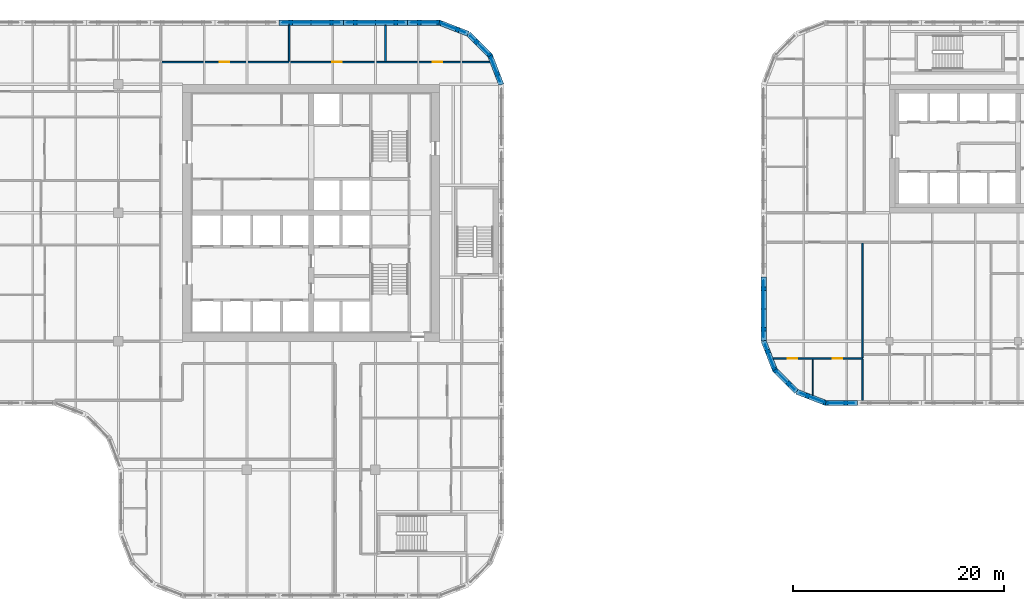
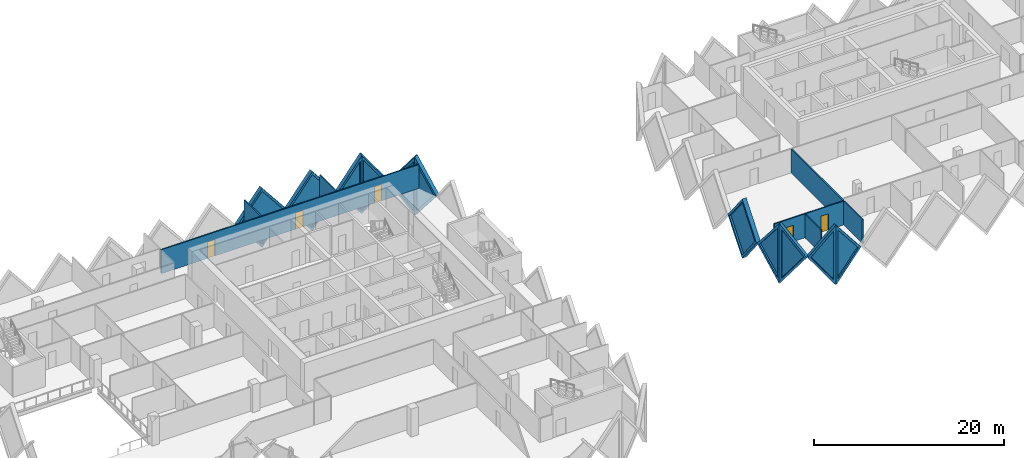
# One storey, part 11 of 19: 18 walls, 11 plates, 5 doors, 16 openings.
"""IFC4 building model written with IfcOpenShell, lengths in metres."""

import ifcopenshell
import ifcopenshell.guid

model = None  # the IFC model being written
_history = None  # IfcOwnerHistory: only IFC2X3 demands one
_inside = {}  # id of a spatial element -> (the spatial element, [elements in it])
_under = {}  # id of a project, library or spatial element -> (it, [spatial elements below it])
_declared = {}  # id of a project -> (the project, [libraries it declares])
_typed = {}  # id of a type object -> (the type object, [elements of that type])
_made_of = {}  # id of a material, layer set ... -> (it, [elements and type objects made of it])


def new_model(schema):
    """Start an empty IFC model of exactly this schema.

    Asked for "IFC4X3", IfcOpenShell would pick the latest addendum, in which some entities
    have other attributes; the version numbers below select the first issue.
    IFC2X3 requires an IfcOwnerHistory on every rooted entity: one is made here for all.
    """
    global model, _history
    if schema == "IFC4X3":
        model = ifcopenshell.file(schema_version=(4, 3, 0, 0))
    else:
        model = ifcopenshell.file(schema=schema)
    _inside.clear()
    _under.clear()
    _declared.clear()
    _typed.clear()
    _made_of.clear()
    _history = None
    if model.schema == "IFC2X3":
        org = make("IfcOrganization", Name="unknown")
        user = make(
            "IfcPersonAndOrganization",
            ThePerson=make("IfcPerson", FamilyName="unknown"),
            TheOrganization=org,
        )
        app = make(
            "IfcApplication",
            ApplicationDeveloper=org,
            Version="unknown",
            ApplicationFullName="unknown",
            ApplicationIdentifier="unknown",
        )
        _history = make(
            "IfcOwnerHistory",
            OwningUser=user,
            OwningApplication=app,
            ChangeAction="ADDED",
            CreationDate=0,
        )
    return model


def make(cls, **values):
    """One entity of the class cls with the attributes given. An attribute that is None is left unset."""
    return model.create_entity(
        cls, **{name: value for name, value in values.items() if value is not None}
    )


def rooted(cls, **values):
    """An entity with a GlobalId (a new one), such as an element, a storey or a relation."""
    return make(cls, GlobalId=ifcopenshell.guid.new(), OwnerHistory=_history, **values)


def si_unit(unit_type, name, prefix=None):
    """IfcSIUnit, for example si_unit("LENGTHUNIT", "METRE", prefix="MILLI")."""
    return make("IfcSIUnit", UnitType=unit_type, Prefix=prefix, Name=name)


def assignment(units):
    """IfcUnitAssignment: the units of a project."""
    return None if units is None else make("IfcUnitAssignment", Units=units)


def point(xyz):
    """IfcCartesianPoint."""
    return None if xyz is None else make("IfcCartesianPoint", Coordinates=xyz)


def direction(xyz):
    """IfcDirection."""
    return None if xyz is None else make("IfcDirection", DirectionRatios=xyz)


def frame(location, z_axis=None, x_axis=None):
    """IfcAxis2Placement3D, a coordinate frame: its origin and axes. An axis left out is left unset."""
    return make(
        "IfcAxis2Placement3D",
        Location=point(location),
        Axis=direction(z_axis),
        RefDirection=direction(x_axis),
    )


def frame_2d(location, x_axis=None):
    """IfcAxis2Placement2D, a coordinate frame in the plane: its origin and x axis."""
    return make(
        "IfcAxis2Placement2D", Location=point(location), RefDirection=direction(x_axis)
    )


def origin():
    """The frame at (0, 0, 0) with its axes left unset."""
    return frame((0.0, 0.0, 0.0))


def place(relative_to, where):
    """IfcLocalPlacement: puts the frame where relative to a parent placement (None: the world)."""
    return make(
        "IfcLocalPlacement", PlacementRelTo=relative_to, RelativePlacement=where
    )


def context(
    kind, dimensions, precision=None, world=None, true_north=None, identifier=None
):
    """IfcGeometricRepresentationContext, for example the 3D "Model" context."""
    return make(
        "IfcGeometricRepresentationContext",
        ContextIdentifier=identifier,
        ContextType=kind,
        CoordinateSpaceDimension=dimensions,
        Precision=precision,
        WorldCoordinateSystem=world,
        TrueNorth=true_north,
    )


def subcontext(parent, identifier, kind, view, scale=None):
    """IfcGeometricRepresentationSubContext, for example "Body" below "Model"."""
    return make(
        "IfcGeometricRepresentationSubContext",
        ContextIdentifier=identifier,
        ContextType=kind,
        ParentContext=parent,
        TargetScale=scale,
        TargetView=view,
    )


def project(units=None, contexts=None):
    """IfcProject with its units and contexts."""
    return rooted(
        "IfcProject",
        Name="project",
        RepresentationContexts=contexts,
        UnitsInContext=assignment(units),
    )


def spatial(cls, under=None, at=None, **own):
    """A site, building, storey or space (cls), placed at a placement, below another one or the project."""
    s = rooted(cls, ObjectPlacement=at, **own)
    if under is not None:
        _under.setdefault(under.id(), (under, []))[1].append(s)
    return s


def polyline(points):
    """IfcPolyline through the points."""
    return make("IfcPolyline", Points=[point(p) for p in points])


def profile(cls, at=None, kind="AREA", **sizes):
    """A parametric profile (cls). Its sizes go by their IFC names, for example OverallWidth=200.0."""
    return make(cls, ProfileType=kind, Position=at, **sizes)


def rectangle(**sizes):
    """IfcRectangleProfileDef."""
    return profile("IfcRectangleProfileDef", **sizes)


def outline(outer, holes=None, kind="AREA"):
    """IfcArbitraryClosedProfileDef: a profile drawn as a closed curve; with holes, ...WithVoids."""
    if holes is None:
        return make("IfcArbitraryClosedProfileDef", ProfileType=kind, OuterCurve=outer)
    return make(
        "IfcArbitraryProfileDefWithVoids",
        ProfileType=kind,
        OuterCurve=outer,
        InnerCurves=holes,
    )


def extrude(swept, where, along, depth):
    """IfcExtrudedAreaSolid: the profile swept, set in the frame where, extruded along a direction by depth."""
    return make(
        "IfcExtrudedAreaSolid",
        SweptArea=swept,
        Position=where,
        ExtrudedDirection=direction(along),
        Depth=depth,
    )


def faces_of(points, faces, orient=None, outer=None):
    """IfcFace entities. A face is a list of loops; a loop is a list of indices into points, from 0.

    orient and outer hold one flag for each loop. By default every Orientation is true, the
    first loop of a face is its IfcFaceOuterBound and the others are IfcFaceBound.
    """
    made = []
    for i, loops in enumerate(faces):
        bounds = []
        for j, loop in enumerate(loops):
            is_outer = j == 0 if outer is None else outer[i][j]
            bounds.append(
                make(
                    "IfcFaceOuterBound" if is_outer else "IfcFaceBound",
                    Bound=make("IfcPolyLoop", Polygon=[points[k] for k in loop]),
                    Orientation=True if orient is None else orient[i][j],
                )
            )
        made.append(make("IfcFace", Bounds=bounds))
    return made


def faceted_brep(points, faces, orient=None, outer=None, voids=None):
    """IfcFacetedBrep: a solid bounded by flat faces; with voids (closed shells), ...WithVoids."""
    shared = [point(p) for p in points]
    hull = make("IfcClosedShell", CfsFaces=faces_of(shared, faces, orient, outer))
    if voids is None:
        return make("IfcFacetedBrep", Outer=hull)
    return make(
        "IfcFacetedBrepWithVoids",
        Outer=hull,
        Voids=[
            make(cls, CfsFaces=faces_of(shared, fs, o, b)) for cls, fs, o, b in voids
        ],
    )


def shape(context_of_items, identifier, shape_type, items):
    """IfcShapeRepresentation: the items that make up one representation, for example the "Body"."""
    return make(
        "IfcShapeRepresentation",
        ContextOfItems=context_of_items,
        RepresentationIdentifier=identifier,
        RepresentationType=shape_type,
        Items=items,
    )


def source(mapping_origin, context_of_items, identifier, shape_type, items):
    """IfcRepresentationMap: a shape defined once, which mapped items show again and again."""
    return make(
        "IfcRepresentationMap",
        MappingOrigin=mapping_origin,
        MappedRepresentation=shape(context_of_items, identifier, shape_type, items),
    )


def transform(
    local_origin,
    x_axis=None,
    y_axis=None,
    z_axis=None,
    scale=None,
    scale2=None,
    scale3=None,
    uniform=True,
):
    """IfcCartesianTransformationOperator3D, or its non-uniform kind. x_axis, y_axis, z_axis: its Axis1, 2, 3."""
    if uniform:
        return make(
            "IfcCartesianTransformationOperator3D",
            Axis1=direction(x_axis),
            Axis2=direction(y_axis),
            LocalOrigin=point(local_origin),
            Scale=scale,
            Axis3=direction(z_axis),
        )
    return make(
        "IfcCartesianTransformationOperator3DnonUniform",
        Axis1=direction(x_axis),
        Axis2=direction(y_axis),
        LocalOrigin=point(local_origin),
        Scale=scale,
        Axis3=direction(z_axis),
        Scale2=scale2,
        Scale3=scale3,
    )


def mapped(mapping_source, mapping_target):
    """IfcMappedItem: shows the shape of a source again, moved by a transform."""
    return make(
        "IfcMappedItem", MappingSource=mapping_source, MappingTarget=mapping_target
    )


def material(Name=None, Category=None):
    """IfcMaterial."""
    return make("IfcMaterial", Name=Name, Category=Category)


def layer(
    of_material, thickness, ventilated=None, Name=None, Category=None, Priority=None
):
    """IfcMaterialLayer: one layer of a wall or slab, of a material (None: an air gap)."""
    return make(
        "IfcMaterialLayer",
        Material=of_material,
        LayerThickness=thickness,
        IsVentilated=ventilated,
        Name=Name,
        Category=Category,
        Priority=Priority,
    )


def layer_set(layers, Name=None):
    """IfcMaterialLayerSet."""
    return make("IfcMaterialLayerSet", MaterialLayers=layers, LayerSetName=Name)


def made_of(thing, what):
    """Note that an element or type object is made of a material, layer set ...; save() writes the relation."""
    if what is not None:
        _made_of.setdefault(what.id(), (what, []))[1].append(thing)
    return thing


def type_object(cls, material=None, **own):
    """A type object (cls), such as IfcWallType, which elements share."""
    return made_of(rooted(cls, **own), material)


def element(
    cls,
    number,
    at=None,
    inside=None,
    cuts=None,
    type_object=None,
    material=None,
    context=None,
    identifier="Body",
    shape_type=None,
    held_by="IfcProductDefinitionShape",
    body=None,
    shapes=None,
    **own,
):
    """One element of the class cls, such as IfcWall. Its Tag is "e" and its number.

    at: its placement. inside: the storey or other place that contains it. cuts: it is an
    opening in that element (IfcRelVoidsElement). A single representation is given by context,
    identifier, shape_type and body (its items); several are given by shapes. held_by: the class
    of the entity that holds the representations. save() writes the other relations.
    """
    e = rooted(cls, Tag="e%d" % number, ObjectPlacement=at, **own)
    if body is not None:
        shapes = [shape(context, identifier, shape_type, body)]
    if shapes is not None:
        e.Representation = make(held_by, Representations=shapes)
    if inside is not None:
        _inside.setdefault(inside.id(), (inside, []))[1].append(e)
    if cuts is not None:
        rooted(
            "IfcRelVoidsElement", RelatingBuildingElement=cuts, RelatedOpeningElement=e
        )
    if type_object is not None:
        _typed.setdefault(type_object.id(), (type_object, []))[1].append(e)
    return made_of(e, material)


def fill(opening, filler):
    """IfcRelFillsElement: the door or window that sits in an opening."""
    return rooted(
        "IfcRelFillsElement",
        RelatingOpeningElement=opening,
        RelatedBuildingElement=filler,
    )


def aggregate(whole, parts):
    """IfcRelAggregates: a whole, such as a stair, and the parts it consists of."""
    return rooted("IfcRelAggregates", RelatingObject=whole, RelatedObjects=parts)


def save(model, path):
    """Write the relations noted so far, then the file.

    IfcRelAggregates (storeys below a building ...), IfcRelContainedInSpatialStructure (elements
    in a storey), IfcRelDefinesByType, IfcRelAssociatesMaterial and IfcRelDeclares: one each for
    every whole, place, type object, material and project.
    """
    for whole, parts in _under.values():
        aggregate(whole, parts)
    for where, things in _inside.values():
        rooted(
            "IfcRelContainedInSpatialStructure",
            RelatedElements=things,
            RelatingStructure=where,
        )
    for kind, things in _typed.values():
        rooted("IfcRelDefinesByType", RelatedObjects=things, RelatingType=kind)
    for what, things in _made_of.values():
        rooted("IfcRelAssociatesMaterial", RelatedObjects=things, RelatingMaterial=what)
    for by, libraries in _declared.values():
        rooted("IfcRelDeclares", RelatingContext=by, RelatedDefinitions=libraries)
    model.write(path)


model = new_model("IFC4")

# Units and contexts
model_context = context("Model", 3, precision=1e-05, world=origin(), true_north=direction((0.0, 1.0)))
body_context = subcontext(model_context, "Body", "Model", "MODEL_VIEW")
ifc_project = project(units=[si_unit("LENGTHUNIT", "METRE"), si_unit("AREAUNIT", "SQUARE_METRE"), si_unit("VOLUMEUNIT", "CUBIC_METRE"), si_unit("PLANEANGLEUNIT", "RADIAN"), si_unit("MASSUNIT", "GRAM", prefix="KILO")], contexts=[model_context])

# Site, building, storey
site_placement = place(None, origin())
site = spatial("IfcSite", under=ifc_project, at=site_placement, CompositionType="ELEMENT")
building_placement = place(site_placement, origin())
building = spatial("IfcBuilding", under=site, at=building_placement, Name="Tessera Gate Towers", CompositionType="ELEMENT")
storey_placement = place(building_placement, frame((0.0, 0.0, 76.199951171875)))
storey = spatial("IfcBuildingStorey", under=building, at=storey_placement, Name="L18", CompositionType="ELEMENT", Elevation=76.199951171875)

# Wall, openings, doors
ifc_material_1 = material(Name="Gypsum board on steel studs, mineral wool", Category="steel")
ifc_layer_1 = layer(ifc_material_1, 0.14990234375)
ifc_layer_set_1 = layer_set([ifc_layer_1], Name="CORRIDOR WALL 150")
wall_type_1 = type_object("IfcWallType", Name="CORRIDOR WALL 150", PredefinedType="PARTITIONING", material=ifc_layer_set_1)
wall_1_placement = place(storey_placement, frame((28.39990234375, 50.89990234375, 0.0), z_axis=(0.0, 0.0, 1.0), x_axis=(1.0, 0.0, 0.0)))
wall_1 = element("IfcWall", 1, at=wall_1_placement, inside=storey, type_object=wall_type_1, Name="T1-L18-PW-046", PredefinedType="PARTITIONING", context=body_context, shape_type="SweptSolid", body=[
    extrude(rectangle(XDim=31.254150390625, YDim=0.14990234375, at=frame_2d((15.626953125, 0.0))), origin(), (0.0, 0.0, 1.0), 3.067138671875),
])
shared_shape_1 = source(origin(), body_context, "Body", "SweptSolid", [
    extrude(rectangle(XDim=0.89990234375, YDim=2.10009765625, at=frame_2d((0.449951171875, 1.050048828125))), frame((0.0, 0.0849609375, 0.0), z_axis=(0.0, -1.0, 0.0), x_axis=(1.0, 0.0, 0.0)), (0.0, 0.0, 1.0), 0.169921875),
])
opening_1_placement = place(wall_1_placement, frame((16.301025390625, 0.0, 0.0)))
opening_1 = element("IfcOpeningElement", 2, at=opening_1_placement, cuts=wall_1, Name="Opening D890FD60-A06-08", PredefinedType="OPENING", context=body_context, shape_type="MappedRepresentation", body=[
    mapped(shared_shape_1, transform((0.0, 0.0, 0.0), scale=1.0)),
])
opening_2_placement = place(wall_1_placement, frame((25.85009765625, 0.0, 0.0)))
opening_2 = element("IfcOpeningElement", 3, at=opening_2_placement, cuts=wall_1, Name="Opening D890FD60-A06-10", PredefinedType="OPENING", context=body_context, shape_type="MappedRepresentation", body=[
    mapped(shared_shape_1, transform((0.0, 0.0, 0.0), scale=1.0)),
])
opening_3_placement = place(wall_1_placement, frame((5.60009765625, 0.0, 0.0)))
opening_3 = element("IfcOpeningElement", 4, at=opening_3_placement, cuts=wall_1, Name="Opening D890FD60-A06-11", PredefinedType="OPENING", context=body_context, shape_type="MappedRepresentation", body=[
    mapped(shared_shape_1, transform((0.0, 0.0, 0.0), scale=1.0)),
])
ifc_material_2 = material(Name="Timber door leaf in steel frame", Category="steel")
door_type_1 = type_object("IfcDoorType", Name="CORRIDOR DOOR 900 FD60", OperationType="NOTDEFINED", PredefinedType="DOOR", material=ifc_material_2)
shared_shape_2 = source(origin(), body_context, "Body", "SweptSolid", [
    extrude(rectangle(XDim=0.89990234375, YDim=2.10009765625, at=frame_2d((0.449951171875, 1.050048828125))), frame((0.0, 0.02490234375, 0.0), z_axis=(0.0, -1.0, 0.0), x_axis=(1.0, 0.0, 0.0)), (0.0, 0.0, 1.0), 0.050048828125),
])
door_1_placement = place(opening_1_placement, origin())
door_1 = element("IfcDoor", 5, at=door_1_placement, inside=storey, type_object=door_type_1, Name="T1-L18-PD-023", OperationType="SINGLE_SWING_LEFT", OverallHeight=2.10009765625, OverallWidth=0.89990234375, PredefinedType="DOOR", context=body_context, shape_type="MappedRepresentation", body=[
    mapped(shared_shape_2, transform((0.0, 0.0, 0.0), scale=1.0)),
])
fill(opening_1, door_1)
door_2_placement = place(opening_2_placement, origin())
door_2 = element("IfcDoor", 6, at=door_2_placement, inside=storey, type_object=door_type_1, Name="T1-L18-PD-025", OperationType="SINGLE_SWING_LEFT", OverallHeight=2.10009765625, OverallWidth=0.89990234375, PredefinedType="DOOR", context=body_context, shape_type="MappedRepresentation", body=[
    mapped(shared_shape_2, transform((0.0, 0.0, 0.0), scale=1.0)),
])
fill(opening_2, door_2)
door_3_placement = place(opening_3_placement, origin())
door_3 = element("IfcDoor", 7, at=door_3_placement, inside=storey, type_object=door_type_1, Name="T1-L18-PD-027", OperationType="SINGLE_SWING_LEFT", OverallHeight=2.10009765625, OverallWidth=0.89990234375, PredefinedType="DOOR", context=body_context, shape_type="MappedRepresentation", body=[
    mapped(shared_shape_2, transform((0.0, 0.0, 0.0), scale=1.0)),
])
fill(opening_3, door_3)

# Walls
ifc_material_3 = material(Name="Gypsum board on steel studs", Category="steel")
ifc_layer_2 = layer(ifc_material_3, 0.10009765625)
ifc_layer_set_2 = layer_set([ifc_layer_2], Name="PARTITION 100")
wall_type_2 = type_object("IfcWallType", Name="PARTITION 100", PredefinedType="PARTITIONING", material=ifc_layer_set_2)
wall_2_placement = place(storey_placement, frame((90.320068359375, 19.291015625, 0.0), z_axis=(0.0, 0.0, 1.0), x_axis=(0.0, 1.0, 0.0)))
element("IfcWall", 8, at=wall_2_placement, inside=storey, type_object=wall_type_2, Name="T2-L18-PW-008", PredefinedType="PARTITIONING", context=body_context, shape_type="SweptSolid", body=[
    extrude(rectangle(XDim=3.407958984375, YDim=0.10009765625, at=frame_2d((1.7041015625, 0.0))), origin(), (0.0, 0.0, 1.0), 3.067138671875),
])
ifc_material_4 = material(Name="Gypsum board on steel studs, mineral wool", Category="steel")
ifc_layer_3 = layer(ifc_material_4, 0.14990234375)
ifc_layer_set_3 = layer_set([ifc_layer_3], Name="TENANCY WALL 150")
wall_type_3 = type_object("IfcWallType", Name="TENANCY WALL 150", PredefinedType="PARTITIONING", material=ifc_layer_set_3)
for number, where, z_axis, x_axis, name in (
    (9, (40.60009765625, 50.97607421875, 0.0), (0.0, 0.0, 1.0), (0.0, 1.0, 0.0), "T1-L18-PW-047"),
    (10, (49.75, 50.97607421875, 0.0), (0.0, 0.0, 1.0), (0.0, 1.0, 0.0), "T1-L18-PW-048"),
):
    element("IfcWall", number, at=place(storey_placement, frame(where, z_axis=z_axis, x_axis=x_axis)), inside=storey, type_object=wall_type_3, Name=name, PredefinedType="PARTITIONING", context=body_context, shape_type="SweptSolid", body=[
        extrude(rectangle(XDim=3.423828125, YDim=0.14990234375, at=frame_2d((1.7119140625, 0.0))), origin(), (0.0, 0.0, 1.0), 3.067138671875),
    ])
wall_3_placement = place(storey_placement, frame((95.050048828125, 18.800048828125, 0.0), z_axis=(0.0, 0.0, 1.0), x_axis=(0.0, 1.0, 0.0)))
element("IfcWall", 11, at=wall_3_placement, inside=storey, type_object=wall_type_3, Name="T2-L18-PW-001", PredefinedType="PARTITIONING", context=body_context, shape_type="SweptSolid", body=[
    extrude(rectangle(XDim=3.89892578125, YDim=0.14990234375, at=frame_2d((1.949462890625, 0.0))), origin(), (0.0, 0.0, 1.0), 3.067138671875),
])

# Wall, openings, doors
wall_4_placement = place(storey_placement, frame((95.050048828125, 22.77490234375, 0.0), z_axis=(0.0, 0.0, 1.0), x_axis=(-1.0, 0.0, 0.0)))
wall_4 = element("IfcWall", 12, at=wall_4_placement, inside=storey, type_object=wall_type_3, Name="T2-L18-PW-009", PredefinedType="PARTITIONING", context=body_context, shape_type="SweptSolid", body=[
    extrude(rectangle(XDim=8.4873046875, YDim=0.14990234375, at=frame_2d((4.24365234375, 0.0))), origin(), (0.0, 0.0, 1.0), 3.067138671875),
])
opening_4_placement = place(wall_4_placement, frame((6.187255859375, 0.0, 0.0)))
opening_4 = element("IfcOpeningElement", 13, at=opening_4_placement, cuts=wall_4, Name="Opening D190-B07-01", PredefinedType="OPENING", context=body_context, shape_type="MappedRepresentation", body=[
    mapped(shared_shape_1, transform((0.0, 0.0, 0.0), scale=1.0)),
])
opening_5_placement = place(wall_4_placement, frame((1.9296875, 0.0, 0.0)))
opening_5 = element("IfcOpeningElement", 14, at=opening_5_placement, cuts=wall_4, Name="Opening D190-B07-04", PredefinedType="OPENING", context=body_context, shape_type="MappedRepresentation", body=[
    mapped(shared_shape_1, transform((0.0, 0.0, 0.0), scale=1.0)),
])
ifc_material_5 = material(Name="Timber door leaf in steel frame", Category="steel")
door_type_2 = type_object("IfcDoorType", Name="INTERNAL DOOR 900 NOT RATED", OperationType="NOTDEFINED", PredefinedType="DOOR", material=ifc_material_5)
door_4_placement = place(opening_4_placement, origin())
door_4 = element("IfcDoor", 15, at=door_4_placement, inside=storey, type_object=door_type_2, Name="T2-L18-PD-001", OperationType="SINGLE_SWING_RIGHT", OverallHeight=2.10009765625, OverallWidth=0.89990234375, PredefinedType="DOOR", context=body_context, shape_type="MappedRepresentation", body=[
    mapped(shared_shape_2, transform((0.0, 0.0, 0.0), scale=1.0)),
])
fill(opening_4, door_4)
door_5_placement = place(opening_5_placement, origin())
door_5 = element("IfcDoor", 16, at=door_5_placement, inside=storey, type_object=door_type_2, Name="T2-L18-PD-007", OperationType="SINGLE_SWING_RIGHT", OverallHeight=2.10009765625, OverallWidth=0.89990234375, PredefinedType="DOOR", context=body_context, shape_type="MappedRepresentation", body=[
    mapped(shared_shape_2, transform((0.0, 0.0, 0.0), scale=1.0)),
])
fill(opening_5, door_5)

# Wall
wall_5_placement = place(storey_placement, frame((95.050048828125, 22.85107421875, 0.0), z_axis=(0.0, 0.0, 1.0), x_axis=(0.0, 1.0, 0.0)))
element("IfcWall", 17, at=wall_5_placement, inside=storey, type_object=wall_type_3, Name="T2-L18-PW-010", PredefinedType="PARTITIONING", context=body_context, shape_type="SweptSolid", body=[
    extrude(rectangle(XDim=10.873046875, YDim=0.14990234375, at=frame_2d((5.4365234375, 0.0))), origin(), (0.0, 0.0, 1.0), 3.067138671875),
])

# Wall, opening, plate
ifc_material_6 = material(Name="Precast concrete C60/75 white", Category="concrete")
ifc_layer_4 = layer(ifc_material_6, 0.5)
ifc_layer_set_4 = layer_set([ifc_layer_4], Name="TS1 tessera")
wall_type_4 = type_object("IfcWallType", Name="TS1 tessera", PredefinedType="SOLIDWALL", material=ifc_layer_set_4)
shared_shape_3 = source(origin(), body_context, "Body", "SweptSolid", [
    extrude(outline(polyline([(3.050048828125, 0.0), (6.10009765625, 3.800048828125), (3.050048828125, 7.60009765625), (0.0, 3.800048828125), (3.050048828125, 0.0)])), frame((0.0, 0.25, 0.0), z_axis=(0.0, -1.0, 0.0), x_axis=(1.0, 0.0, 0.0)), (0.0, 0.0, 1.0), 0.5),
])
wall_6_placement = place(storey_placement, frame((51.85009765625, 54.64990234375, -3.800048828125), z_axis=(0.0, 0.0, 1.0), x_axis=(-1.0, 0.0, 0.0)))
wall_6 = element("IfcWall", 18, at=wall_6_placement, inside=storey, type_object=wall_type_4, Name="Precast tessera T1 TS1-0263", PredefinedType="SOLIDWALL", context=body_context, shape_type="MappedRepresentation", body=[
    mapped(shared_shape_3, transform((0.0, 0.0, 0.0), scale=1.0)),
])
shared_shape_4 = source(origin(), body_context, "Body", "SweptSolid", [
    extrude(outline(polyline([(3.050048828125, 0.3994140625), (5.779541015625, 3.800048828125), (3.050048828125, 7.20068359375), (0.320556640625, 3.800048828125), (3.050048828125, 0.3994140625)])), frame((0.0, 0.260009765625, 0.0), z_axis=(0.0, -1.0, 0.0), x_axis=(1.0, 0.0, 0.0)), (0.0, 0.0, 1.0), 0.52001953125),
])
opening_6_placement = place(wall_6_placement, origin())
opening_6 = element("IfcOpeningElement", 19, at=opening_6_placement, cuts=wall_6, Name="Opening T1-PL2-0537", PredefinedType="OPENING", context=body_context, shape_type="MappedRepresentation", body=[
    mapped(shared_shape_4, transform((0.0, 0.0, 0.0), scale=1.0)),
])
ifc_material_7 = material(Name="Low-e laminated glass", Category="glass")
ifc_layer_5 = layer(ifc_material_7, 0.06005859375)
ifc_layer_set_5 = layer_set([ifc_layer_5], Name="PL2 rhombic pane")
plate_type = type_object("IfcPlateType", Name="PL2 rhombic pane", PredefinedType="SHEET", material=ifc_layer_set_5)
shared_shape_5 = source(origin(), body_context, "Body", "SweptSolid", [
    extrude(outline(polyline([(3.050048828125, 0.3994140625), (5.779541015625, 3.800048828125), (3.050048828125, 7.20068359375), (0.320556640625, 3.800048828125), (3.050048828125, 0.3994140625)])), frame((0.0, 0.030029296875, 0.0), z_axis=(0.0, -1.0, 0.0), x_axis=(1.0, 0.0, 0.0)), (0.0, 0.0, 1.0), 0.06005859375),
])
plate_1_placement = place(opening_6_placement, origin())
plate_1 = element("IfcPlate", 20, at=plate_1_placement, inside=storey, type_object=plate_type, Name="Glass pane T1 PL2-0537", PredefinedType="SHEET", context=body_context, shape_type="MappedRepresentation", body=[
    mapped(shared_shape_5, transform((0.0, 0.0, 0.0), scale=1.0)),
])
fill(opening_6, plate_1)

wall_7_placement = place(storey_placement, frame((45.75, 54.64990234375, -3.800048828125), z_axis=(0.0, 0.0, 1.0), x_axis=(-1.0, 0.0, 0.0)))
wall_7 = element("IfcWall", 21, at=wall_7_placement, inside=storey, type_object=wall_type_4, Name="Precast tessera T1 TS1-0264", PredefinedType="SOLIDWALL", context=body_context, shape_type="MappedRepresentation", body=[
    mapped(shared_shape_3, transform((0.0, 0.0, 0.0), scale=1.0)),
])
opening_7_placement = place(wall_7_placement, origin())
opening_7 = element("IfcOpeningElement", 22, at=opening_7_placement, cuts=wall_7, Name="Opening T1-PL2-0538", PredefinedType="OPENING", context=body_context, shape_type="MappedRepresentation", body=[
    mapped(shared_shape_4, transform((0.0, 0.0, 0.0), scale=1.0)),
])
plate_2_placement = place(opening_7_placement, origin())
plate_2 = element("IfcPlate", 23, at=plate_2_placement, inside=storey, type_object=plate_type, Name="Glass pane T1 PL2-0538", PredefinedType="SHEET", context=body_context, shape_type="MappedRepresentation", body=[
    mapped(shared_shape_5, transform((0.0, 0.0, 0.0), scale=1.0)),
])
fill(opening_7, plate_2)

shared_shape_6 = source(origin(), body_context, "Body", "Brep", [
    faceted_brep([(3.050048828125, -0.25, 0.0), (6.053466796875, -0.25, 3.800048828125), (3.050048828125, -0.25, 7.60009765625), (0.0, -0.25, 3.800048828125), (0.0, 0.25, 3.800048828125), (3.050048828125, 0.25, 7.60009765625), (6.0068359375, 0.25, 3.85888671875), (6.0068359375, 0.25, 3.7412109375), (3.050048828125, 0.25, 0.0), (6.053466796875, 0.0, 3.800048828125)], [[[0, 1, 2, 3]], [[4, 5, 6, 7, 8]], [[8, 7, 9, 1, 0]], [[6, 5, 2, 1, 9]], [[5, 4, 3, 2]], [[4, 8, 0, 3]], [[9, 7, 6]]]),
])
wall_8_placement = place(storey_placement, frame((85.64990234375, 30.5, -3.800048828125), z_axis=(0.0, 0.0, 1.0), x_axis=(0.0, -1.0, 0.0)))
wall_8 = element("IfcWall", 24, at=wall_8_placement, inside=storey, type_object=wall_type_4, Name="Precast tessera T2 TS1-0215", PredefinedType="SOLIDWALL", context=body_context, shape_type="MappedRepresentation", body=[
    mapped(shared_shape_6, transform((0.0, 0.0, 0.0), scale=1.0)),
])
shared_shape_7 = source(origin(), body_context, "Body", "SweptSolid", [
    extrude(outline(polyline([(3.048583984375, 0.4013671875), (5.73486328125, 3.800048828125), (3.048583984375, 7.19873046875), (0.320556640625, 3.800048828125), (3.048583984375, 0.4013671875)])), frame((0.0, 0.260009765625, 0.0), z_axis=(0.0, -1.0, 0.0), x_axis=(1.0, 0.0, 0.0)), (0.0, 0.0, 1.0), 0.52001953125),
])
opening_8_placement = place(wall_8_placement, origin())
opening_8 = element("IfcOpeningElement", 25, at=opening_8_placement, cuts=wall_8, Name="Opening T2-PL2-0405", PredefinedType="OPENING", context=body_context, shape_type="MappedRepresentation", body=[
    mapped(shared_shape_7, transform((0.0, 0.0, 0.0), scale=1.0)),
])
shared_shape_8 = source(origin(), body_context, "Body", "SweptSolid", [
    extrude(outline(polyline([(3.048583984375, 0.4013671875), (5.73486328125, 3.800048828125), (3.048583984375, 7.19873046875), (0.320556640625, 3.800048828125), (3.048583984375, 0.4013671875)])), frame((0.0, 0.030029296875, 0.0), z_axis=(0.0, -1.0, 0.0), x_axis=(1.0, 0.0, 0.0)), (0.0, 0.0, 1.0), 0.06005859375),
])
plate_3_placement = place(opening_8_placement, origin())
plate_3 = element("IfcPlate", 26, at=plate_3_placement, inside=storey, type_object=plate_type, Name="Glass pane T2 PL2-0405", PredefinedType="SHEET", context=body_context, shape_type="MappedRepresentation", body=[
    mapped(shared_shape_8, transform((0.0, 0.0, 0.0), scale=1.0)),
])
fill(opening_8, plate_3)

ifc_material_8 = material(Name="Precast concrete C60/75 white", Category="concrete")
ifc_layer_6 = layer(ifc_material_8, 0.5)
ifc_layer_set_6 = layer_set([ifc_layer_6], Name="TS3 corner tessera")
wall_type_5 = type_object("IfcWallType", Name="TS3 corner tessera", PredefinedType="SOLIDWALL", material=ifc_layer_set_6)
shared_shape_9 = source(origin(), body_context, "Body", "Brep", [
    faceted_brep([(2.950439453125, -0.25, 0.0), (2.9970703125, -0.25, 0.05908203125), (2.9970703125, -0.25, 7.541015625), (2.950439453125, -0.25, 7.60009765625), (0.0, -0.25, 3.800048828125), (0.052978515625, 0.25, 3.8681640625), (2.904052734375, 0.25, 7.540283203125), (2.904052734375, 0.25, 0.059814453125), (0.052978515625, 0.25, 3.73193359375), (2.950439453125, 0.00048828125, 0.0), (2.950439453125, 0.00048828125, 7.60009765625), (0.0, 0.0, 3.800048828125)], [[[0, 1, 2, 3, 4]], [[5, 6, 7, 8]], [[1, 0, 9]], [[10, 3, 2]], [[6, 5, 11, 4, 3, 10]], [[8, 7, 9, 0, 4, 11]], [[8, 11, 5]], [[1, 9, 7, 6, 10, 2]]]),
])
wall_9_placement = place(storey_placement, frame((57.606201171875, 53.588134765625, -3.800048828125), z_axis=(0.0, 0.0, 1.0), x_axis=(-0.932990326376, 0.359901446078, 0.0)))
wall_9 = element("IfcWall", 27, at=wall_9_placement, inside=storey, type_object=wall_type_5, Name="Precast corner tessera T1 TS3-0393", PredefinedType="SOLIDWALL", context=body_context, shape_type="MappedRepresentation", body=[
    mapped(shared_shape_9, transform((0.0, 0.0, 0.0), scale=1.0)),
])
shared_shape_10 = source(origin(), body_context, "Body", "SweptSolid", [
    extrude(outline(polyline([(2.75048828125, 6.934814453125), (0.31640625, 3.800048828125), (2.75048828125, 0.665283203125), (2.75048828125, 6.934814453125)])), frame((0.0, 0.260009765625, 0.0), z_axis=(0.0, -1.0, 0.0), x_axis=(1.0, 0.0, 0.0)), (0.0, 0.0, 1.0), 0.52001953125),
])
opening_9_placement = place(wall_9_placement, origin())
opening_9 = element("IfcOpeningElement", 28, at=opening_9_placement, cuts=wall_9, Name="Opening T1-PL2-0535", PredefinedType="OPENING", context=body_context, shape_type="MappedRepresentation", body=[
    mapped(shared_shape_10, transform((0.0, 0.0, 0.0), scale=1.0)),
])
shared_shape_11 = source(origin(), body_context, "Body", "SweptSolid", [
    extrude(outline(polyline([(2.75048828125, 6.934814453125), (0.31640625, 3.800048828125), (2.75048828125, 0.665283203125), (2.75048828125, 6.934814453125)])), frame((0.0, 0.030029296875, 0.0), z_axis=(0.0, -1.0, 0.0), x_axis=(1.0, 0.0, 0.0)), (0.0, 0.0, 1.0), 0.06005859375),
])
plate_4_placement = place(opening_9_placement, origin())
plate_4 = element("IfcPlate", 29, at=plate_4_placement, inside=storey, type_object=plate_type, Name="Glass pane T1 PL2-0535", PredefinedType="SHEET", context=body_context, shape_type="MappedRepresentation", body=[
    mapped(shared_shape_11, transform((0.0, 0.0, 0.0), scale=1.0)),
])
fill(opening_9, plate_4)

shared_shape_12 = source(origin(), body_context, "Body", "Brep", [
    faceted_brep([(0.046630859375, -0.25, 0.0), (3.050048828125, -0.25, 3.800048828125), (0.046630859375, -0.25, 7.60009765625), (0.0, -0.25, 7.5400390625), (0.0, -0.25, 0.06005859375), (0.09326171875, 0.25, 7.541259765625), (3.050048828125, 0.25, 3.800048828125), (0.09326171875, 0.25, 0.058837890625), (0.046630859375, 0.0, 0.0), (0.046630859375, 0.0, 7.60009765625)], [[[0, 1, 2, 3, 4]], [[5, 6, 7]], [[7, 6, 1, 0, 8]], [[6, 5, 9, 2, 1]], [[3, 2, 9]], [[8, 0, 4]], [[7, 8, 4, 3, 9, 5]]]),
])
wall_10_placement = place(storey_placement, frame((54.900146484375, 54.64990234375, -3.800048828125), z_axis=(0.0, 0.0, 1.0), x_axis=(-1.0, 0.0, 0.0)))
wall_10 = element("IfcWall", 30, at=wall_10_placement, inside=storey, type_object=wall_type_5, Name="Precast corner tessera T1 TS3-0394", PredefinedType="SOLIDWALL", context=body_context, shape_type="MappedRepresentation", body=[
    mapped(shared_shape_12, transform((0.0, 0.0, 0.0), scale=1.0)),
])
shared_shape_13 = source(origin(), body_context, "Body", "SweptSolid", [
    extrude(outline(polyline([(0.24658203125, 0.65625), (2.7314453125, 3.800048828125), (0.24658203125, 6.94384765625), (0.24658203125, 0.65625)])), frame((0.0, 0.260009765625, 0.0), z_axis=(0.0, -1.0, 0.0), x_axis=(1.0, 0.0, 0.0)), (0.0, 0.0, 1.0), 0.52001953125),
])
opening_10_placement = place(wall_10_placement, origin())
opening_10 = element("IfcOpeningElement", 31, at=opening_10_placement, cuts=wall_10, Name="Opening T1-PL2-0536", PredefinedType="OPENING", context=body_context, shape_type="MappedRepresentation", body=[
    mapped(shared_shape_13, transform((0.0, 0.0, 0.0), scale=1.0)),
])
shared_shape_14 = source(origin(), body_context, "Body", "SweptSolid", [
    extrude(outline(polyline([(0.24658203125, 0.65625), (2.7314453125, 3.800048828125), (0.24658203125, 6.94384765625), (0.24658203125, 0.65625)])), frame((0.0, 0.030029296875, 0.0), z_axis=(0.0, -1.0, 0.0), x_axis=(1.0, 0.0, 0.0)), (0.0, 0.0, 1.0), 0.06005859375),
])
plate_5_placement = place(opening_10_placement, origin())
plate_5 = element("IfcPlate", 32, at=plate_5_placement, inside=storey, type_object=plate_type, Name="Glass pane T1 PL2-0536", PredefinedType="SHEET", context=body_context, shape_type="MappedRepresentation", body=[
    mapped(shared_shape_14, transform((0.0, 0.0, 0.0), scale=1.0)),
])
fill(opening_10, plate_5)

wall_11_placement = place(storey_placement, frame((91.5, 18.550048828125, -3.800048828125), z_axis=(0.0, 0.0, 1.0), x_axis=(1.0, 0.0, 0.0)))
wall_11 = element("IfcWall", 33, at=wall_11_placement, inside=storey, type_object=wall_type_5, Name="Precast corner tessera T2 TS3-0257", PredefinedType="SOLIDWALL", context=body_context, shape_type="MappedRepresentation", body=[
    mapped(shared_shape_12, transform((0.0, 0.0, 0.0), scale=1.0)),
])
opening_11_placement = place(wall_11_placement, origin())
opening_11 = element("IfcOpeningElement", 34, at=opening_11_placement, cuts=wall_11, Name="Opening T2-PL2-0374", PredefinedType="OPENING", context=body_context, shape_type="MappedRepresentation", body=[
    mapped(shared_shape_13, transform((0.0, 0.0, 0.0), scale=1.0)),
])
plate_6_placement = place(opening_11_placement, origin())
plate_6 = element("IfcPlate", 35, at=plate_6_placement, inside=storey, type_object=plate_type, Name="Glass pane T2 PL2-0374", PredefinedType="SHEET", context=body_context, shape_type="MappedRepresentation", body=[
    mapped(shared_shape_14, transform((0.0, 0.0, 0.0), scale=1.0)),
])
fill(opening_11, plate_6)

shared_shape_15 = source(origin(), body_context, "Body", "Brep", [
    faceted_brep([(0.052978515625, -0.25, 0.0), (2.9970703125, -0.25, 3.800048828125), (0.052978515625, -0.25, 7.60009765625), (0.0, -0.25, 7.531982421875), (0.0, -0.25, 0.068115234375), (0.10595703125, 0.25, 7.53173828125), (2.944091796875, 0.25, 3.8681640625), (2.944091796875, 0.25, 3.73193359375), (0.10595703125, 0.25, 0.068359375), (2.9970703125, 0.000244140625, 3.800048828125), (0.052978515625, 0.0, 0.0), (0.052978515625, 0.0, 7.60009765625)], [[[0, 1, 2, 3, 4]], [[5, 6, 7, 8]], [[8, 7, 9, 1, 0, 10]], [[6, 5, 11, 2, 1, 9]], [[3, 2, 11]], [[10, 0, 4]], [[8, 10, 4, 3, 11, 5]], [[9, 7, 6]]]),
])
wall_12_placement = place(storey_placement, frame((86.674560546875, 21.731201171875, -3.800048828125), z_axis=(0.0, 0.0, 1.0), x_axis=(0.707106781187, -0.707106781187, 0.0)))
wall_12 = element("IfcWall", 36, at=wall_12_placement, inside=storey, type_object=wall_type_5, Name="Precast corner tessera T2 TS3-0272", PredefinedType="SOLIDWALL", context=body_context, shape_type="MappedRepresentation", body=[
    mapped(shared_shape_15, transform((0.0, 0.0, 0.0), scale=1.0)),
])
shared_shape_16 = source(origin(), body_context, "Body", "SweptSolid", [
    extrude(outline(polyline([(0.2529296875, 0.66650390625), (2.680908203125, 3.800048828125), (0.2529296875, 6.933837890625), (0.2529296875, 0.66650390625)])), frame((0.0, 0.260009765625, 0.0), z_axis=(0.0, -1.0, 0.0), x_axis=(1.0, 0.0, 0.0)), (0.0, 0.0, 1.0), 0.52001953125),
])
opening_12_placement = place(wall_12_placement, origin())
opening_12 = element("IfcOpeningElement", 37, at=opening_12_placement, cuts=wall_12, Name="Opening T2-PL2-0407", PredefinedType="OPENING", context=body_context, shape_type="MappedRepresentation", body=[
    mapped(shared_shape_16, transform((0.0, 0.0, 0.0), scale=1.0)),
])
shared_shape_17 = source(origin(), body_context, "Body", "SweptSolid", [
    extrude(outline(polyline([(0.2529296875, 0.66650390625), (2.680908203125, 3.800048828125), (0.2529296875, 6.933837890625), (0.2529296875, 0.66650390625)])), frame((0.0, 0.030029296875, 0.0), z_axis=(0.0, -1.0, 0.0), x_axis=(1.0, 0.0, 0.0)), (0.0, 0.0, 1.0), 0.06005859375),
])
plate_7_placement = place(opening_12_placement, origin())
plate_7 = element("IfcPlate", 38, at=plate_7_placement, inside=storey, type_object=plate_type, Name="Glass pane T2 PL2-0407", PredefinedType="SHEET", context=body_context, shape_type="MappedRepresentation", body=[
    mapped(shared_shape_17, transform((0.0, 0.0, 0.0), scale=1.0)),
])
fill(opening_12, plate_7)

shared_shape_18 = source(origin(), body_context, "Body", "Brep", [
    faceted_brep([(2.950439453125, -0.25, 0.0), (2.9970703125, -0.25, 0.05908203125), (2.9970703125, -0.25, 7.541015625), (2.950439453125, -0.25, 7.60009765625), (0.0, -0.25, 3.800048828125), (0.052978515625, 0.25, 3.8681640625), (2.904052734375, 0.25, 7.540283203125), (2.904052734375, 0.25, 0.059814453125), (0.052978515625, 0.25, 3.73193359375), (2.950439453125, 0.00048828125, 0.0), (2.950439453125, 0.00048828125, 7.60009765625), (0.0, 0.0, 3.800048828125)], [[[0, 1, 2, 3, 4]], [[5, 6, 7, 8]], [[1, 0, 9]], [[10, 3, 2]], [[6, 5, 11, 4, 3, 10]], [[8, 7, 9, 0, 4, 11]], [[8, 11, 5]], [[1, 9, 7, 6, 10, 2]]]),
])
wall_13_placement = place(storey_placement, frame((88.793701171875, 19.61181640625, -3.800048828125), z_axis=(0.0, 0.0, 1.0), x_axis=(0.933000876937, -0.359874094142, 0.0)))
wall_13 = element("IfcWall", 39, at=wall_13_placement, inside=storey, type_object=wall_type_5, Name="Precast corner tessera T2 TS3-0258", PredefinedType="SOLIDWALL", context=body_context, shape_type="MappedRepresentation", body=[
    mapped(shared_shape_18, transform((0.0, 0.0, 0.0), scale=1.0)),
])
opening_13_placement = place(wall_13_placement, origin())
opening_13 = element("IfcOpeningElement", 40, at=opening_13_placement, cuts=wall_13, Name="Opening T2-PL2-0375", PredefinedType="OPENING", context=body_context, shape_type="MappedRepresentation", body=[
    mapped(shared_shape_10, transform((0.0, 0.0, 0.0), scale=1.0)),
])
plate_8_placement = place(opening_13_placement, origin())
plate_8 = element("IfcPlate", 41, at=plate_8_placement, inside=storey, type_object=plate_type, Name="Glass pane T2 PL2-0375", PredefinedType="SHEET", context=body_context, shape_type="MappedRepresentation", body=[
    mapped(shared_shape_11, transform((0.0, 0.0, 0.0), scale=1.0)),
])
fill(opening_13, plate_8)

shared_shape_19 = source(origin(), body_context, "Body", "Brep", [
    faceted_brep([(2.950439453125, -0.25, 0.0), (3.00341796875, -0.25, 0.068359375), (3.00341796875, -0.25, 7.53173828125), (2.950439453125, -0.25, 7.60009765625), (0.0, -0.25, 3.800048828125), (0.046630859375, 0.25, 3.860107421875), (2.897705078125, 0.25, 7.531982421875), (2.897705078125, 0.25, 0.068115234375), (0.046630859375, 0.25, 3.739990234375), (2.950439453125, 0.00048828125, 0.0), (2.950439453125, 0.00048828125, 7.60009765625), (0.0, 0.0, 3.800048828125)], [[[0, 1, 2, 3, 4]], [[5, 6, 7, 8]], [[1, 0, 9]], [[10, 3, 2]], [[6, 5, 11, 4, 3, 10]], [[8, 7, 9, 0, 4, 11]], [[8, 11, 5]], [[1, 9, 7, 6, 10, 2]]]),
])
wall_14_placement = place(storey_placement, frame((60.75, 48.75341796875, -3.800048828125), z_axis=(0.0, 0.0, 1.0), x_axis=(-0.35992665181, 0.932980602862, 0.0)))
wall_14 = element("IfcWall", 42, at=wall_14_placement, inside=storey, type_object=wall_type_5, Name="Precast corner tessera T1 TS3-0391", PredefinedType="SOLIDWALL", context=body_context, shape_type="MappedRepresentation", body=[
    mapped(shared_shape_19, transform((0.0, 0.0, 0.0), scale=1.0)),
])
opening_14_placement = place(wall_14_placement, origin())
opening_14 = element("IfcOpeningElement", 43, at=opening_14_placement, cuts=wall_14, Name="Opening T1-PL2-0533", PredefinedType="OPENING", context=body_context, shape_type="MappedRepresentation", body=[
    mapped(shared_shape_10, transform((0.0, 0.0, 0.0), scale=1.0)),
])
plate_9_placement = place(opening_14_placement, origin())
plate_9 = element("IfcPlate", 44, at=plate_9_placement, inside=storey, type_object=plate_type, Name="Glass pane T1 PL2-0533", PredefinedType="SHEET", context=body_context, shape_type="MappedRepresentation", body=[
    mapped(shared_shape_11, transform((0.0, 0.0, 0.0), scale=1.0)),
])
fill(opening_14, plate_9)

wall_15_placement = place(storey_placement, frame((85.64990234375, 24.446533203125, -3.800048828125), z_axis=(0.0, 0.0, 1.0), x_axis=(0.35992665181, -0.932980602862, 0.0)))
wall_15 = element("IfcWall", 45, at=wall_15_placement, inside=storey, type_object=wall_type_5, Name="Precast corner tessera T2 TS3-0271", PredefinedType="SOLIDWALL", context=body_context, shape_type="MappedRepresentation", body=[
    mapped(shared_shape_19, transform((0.0, 0.0, 0.0), scale=1.0)),
])
opening_15_placement = place(wall_15_placement, origin())
opening_15 = element("IfcOpeningElement", 46, at=opening_15_placement, cuts=wall_15, Name="Opening T2-PL2-0406", PredefinedType="OPENING", context=body_context, shape_type="MappedRepresentation", body=[
    mapped(shared_shape_10, transform((0.0, 0.0, 0.0), scale=1.0)),
])
plate_10_placement = place(opening_15_placement, origin())
plate_10 = element("IfcPlate", 47, at=plate_10_placement, inside=storey, type_object=plate_type, Name="Glass pane T2 PL2-0406", PredefinedType="SHEET", context=body_context, shape_type="MappedRepresentation", body=[
    mapped(shared_shape_11, transform((0.0, 0.0, 0.0), scale=1.0)),
])
fill(opening_15, plate_10)

shared_shape_20 = source(origin(), body_context, "Body", "Brep", [
    faceted_brep([(0.052978515625, -0.25, 0.0), (2.9970703125, -0.25, 3.800048828125), (0.052978515625, -0.25, 7.60009765625), (0.0, -0.25, 7.531982421875), (0.0, -0.25, 0.068115234375), (0.10595703125, 0.25, 7.53173828125), (2.944091796875, 0.25, 3.8681640625), (2.944091796875, 0.25, 3.73193359375), (0.10595703125, 0.25, 0.068359375), (2.9970703125, 0.000244140625, 3.800048828125), (0.052978515625, 0.0, 0.0), (0.052978515625, 0.0, 7.60009765625)], [[[0, 1, 2, 3, 4]], [[5, 6, 7, 8]], [[8, 7, 9, 1, 0, 10]], [[6, 5, 11, 2, 1, 9]], [[3, 2, 11]], [[10, 0, 4]], [[8, 10, 4, 3, 11, 5]], [[9, 7, 6]]]),
])
wall_16_placement = place(storey_placement, frame((59.7255859375, 51.46875, -3.800048828125), z_axis=(0.0, 0.0, 1.0), x_axis=(-0.707106781187, 0.707106781187, 0.0)))
wall_16 = element("IfcWall", 48, at=wall_16_placement, inside=storey, type_object=wall_type_5, Name="Precast corner tessera T1 TS3-0392", PredefinedType="SOLIDWALL", context=body_context, shape_type="MappedRepresentation", body=[
    mapped(shared_shape_20, transform((0.0, 0.0, 0.0), scale=1.0)),
])
opening_16_placement = place(wall_16_placement, origin())
opening_16 = element("IfcOpeningElement", 49, at=opening_16_placement, cuts=wall_16, Name="Opening T1-PL2-0534", PredefinedType="OPENING", context=body_context, shape_type="MappedRepresentation", body=[
    mapped(shared_shape_16, transform((0.0, 0.0, 0.0), scale=1.0)),
])
plate_11_placement = place(opening_16_placement, origin())
plate_11 = element("IfcPlate", 50, at=plate_11_placement, inside=storey, type_object=plate_type, Name="Glass pane T1 PL2-0534", PredefinedType="SHEET", context=body_context, shape_type="MappedRepresentation", body=[
    mapped(shared_shape_17, transform((0.0, 0.0, 0.0), scale=1.0)),
])
fill(opening_16, plate_11)

save(model, "model.ifc")
